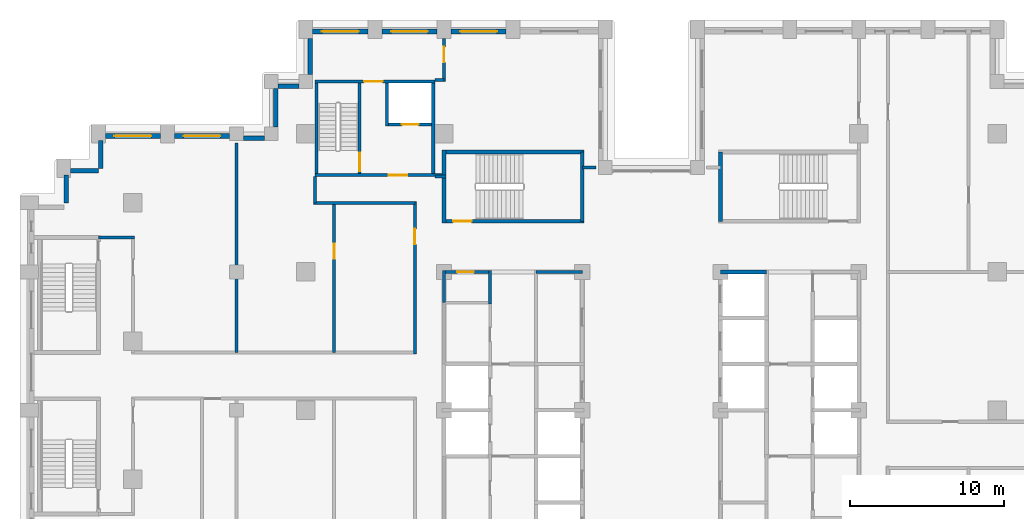
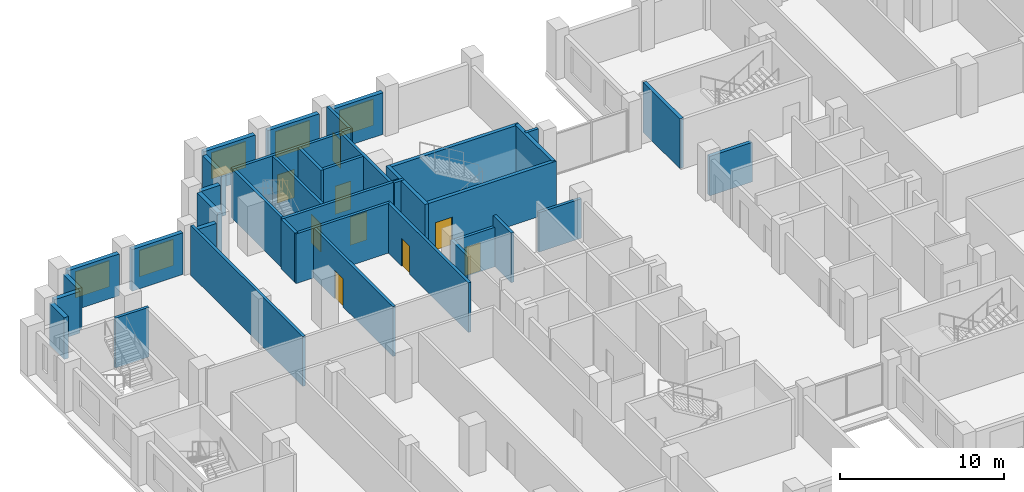
# One storey, part 10 of 16: 39 walls, 9 doors, 5 windows, 14 openings.
"""IFC4 building model written with IfcOpenShell, lengths in metres."""

from ifc_helpers import new_model, si_unit, direction, frame, frame_2d, origin, place, context, subcontext, project, spatial, rectangle, extrude, material, layer, layer_set, type_object, element, fill, save


model = new_model("IFC4")

# Units and contexts
model_context = context("Model", 3, precision=1e-05, world=origin(), true_north=direction((0.0, 1.0)))
body_context = subcontext(model_context, "Body", "Model", "MODEL_VIEW")
ifc_project = project(units=[si_unit("LENGTHUNIT", "METRE"), si_unit("AREAUNIT", "SQUARE_METRE"), si_unit("VOLUMEUNIT", "CUBIC_METRE"), si_unit("PLANEANGLEUNIT", "RADIAN"), si_unit("MASSUNIT", "GRAM", prefix="KILO")], contexts=[model_context])

# Site, building, storey
site_placement = place(None, origin())
site = spatial("IfcSite", under=ifc_project, at=site_placement, CompositionType="ELEMENT")
building_placement = place(site_placement, origin())
building = spatial("IfcBuilding", under=site, at=building_placement, Name="Corbelhall Arena Tower", CompositionType="ELEMENT")
storey_placement = place(building_placement, frame((0.0, 0.0, 108.0)))
storey = spatial("IfcBuildingStorey", under=building, at=storey_placement, Name="L19", CompositionType="ELEMENT", Elevation=108.0)

# Walls
ifc_material_1 = material(Name="Precast concrete C40/50 with granite facing", Category="masonry")
ifc_layer_1 = layer(ifc_material_1, 0.300048828125)
ifc_layer_set_1 = layer_set([ifc_layer_1], Name="EV-IW1 Infill panel 300")
wall_type_1 = type_object("IfcWallType", Name="EV-IW1 Infill panel 300", PredefinedType="SOLIDWALL", material=ifc_layer_set_1)
for number, where, z_axis, x_axis, name in (
    (1, (-35.85009765625, 17.550048828125, 0.0), (0.0, 0.0, 1.0), (0.0, -1.0, 0.0), "Infill panel IW1"),
    (2, (-37.800048828125, 15.60009765625, 0.0), (0.0, 0.0, 1.0), (1.0, 0.0, 0.0), "Infill panel IW1"),
    (3, (-38.10009765625, 15.300048828125, 0.0), (0.0, 0.0, 1.0), (0.0, -1.0, 0.0), "Infill panel IW1"),
):
    element("IfcWall", number, at=place(storey_placement, frame(where, z_axis=z_axis, x_axis=x_axis)), inside=storey, type_object=wall_type_1, Name=name, PredefinedType="SOLIDWALL", context=body_context, shape_type="SweptSolid", body=[
        extrude(rectangle(XDim=1.800048828125, YDim=0.300048828125, at=frame_2d((0.89990234375, 0.0))), origin(), (0.0, 0.0, 1.0), 3.10009765625),
    ])
wall_1_placement = place(storey_placement, frame((-22.199951171875, 24.199951171875, 0.0), z_axis=(0.0, 0.0, 1.0), x_axis=(0.0, -1.0, 0.0)))
element("IfcWall", 4, at=wall_1_placement, inside=storey, type_object=wall_type_1, Name="Infill panel IW1", PredefinedType="SOLIDWALL", context=body_context, shape_type="SweptSolid", body=[
    extrude(rectangle(XDim=2.349853515625, YDim=0.300048828125, at=frame_2d((1.1748046875, 0.0))), origin(), (0.0, 0.0, 1.0), 3.10009765625),
])
wall_2_placement = place(storey_placement, frame((-22.949951171875, 21.10009765625, 0.0), z_axis=(0.0, 0.0, 1.0), x_axis=(-1.0, 0.0, 0.0)))
element("IfcWall", 5, at=wall_2_placement, inside=storey, type_object=wall_type_1, Name="Infill panel IW1", PredefinedType="SOLIDWALL", context=body_context, shape_type="SweptSolid", body=[
    extrude(rectangle(XDim=1.35009765625, YDim=0.300048828125, at=frame_2d((0.675048828125, 0.0))), origin(), (0.0, 0.0, 1.0), 3.10009765625),
])
wall_3_placement = place(storey_placement, frame((-24.449951171875, 20.949951171875, 0.0), z_axis=(0.0, 0.0, 1.0), x_axis=(0.0, -1.0, 0.0)))
element("IfcWall", 6, at=wall_3_placement, inside=storey, type_object=wall_type_1, Name="Infill panel IW1", PredefinedType="SOLIDWALL", context=body_context, shape_type="SweptSolid", body=[
    extrude(rectangle(XDim=2.5, YDim=0.300048828125, at=frame_2d((1.25, 0.0))), origin(), (0.0, 0.0, 1.0), 3.10009765625),
])
wall_4_placement = place(storey_placement, frame((-25.199951171875, 17.699951171875, 0.0), z_axis=(0.0, 0.0, 1.0), x_axis=(-1.0, 0.0, 0.0)))
element("IfcWall", 7, at=wall_4_placement, inside=storey, type_object=wall_type_1, Name="Infill panel IW1", PredefinedType="SOLIDWALL", context=body_context, shape_type="SweptSolid", body=[
    extrude(rectangle(XDim=1.35009765625, YDim=0.300048828125, at=frame_2d((0.675048828125, 0.0))), origin(), (0.0, 0.0, 1.0), 3.10009765625),
])

# Wall, opening, window
wall_5_placement = place(storey_placement, frame((-27.449951171875, 17.85009765625, 0.0), z_axis=(0.0, 0.0, 1.0), x_axis=(-1.0, 0.0, 0.0)))
wall_5 = element("IfcWall", 8, at=wall_5_placement, inside=storey, type_object=wall_type_1, Name="Infill panel IW1", PredefinedType="SOLIDWALL", context=body_context, shape_type="SweptSolid", body=[
    extrude(rectangle(XDim=3.60009765625, YDim=0.300048828125, at=frame_2d((1.800048828125, 0.0))), origin(), (0.0, 0.0, 1.0), 3.10009765625),
])
opening_1_placement = place(wall_5_placement, frame((0.60009765625, 0.0, 0.800048828125)))
opening_1 = element("IfcOpeningElement", 9, at=opening_1_placement, cuts=wall_5, Name="Opening WN1", PredefinedType="OPENING", context=body_context, shape_type="SweptSolid", body=[
    extrude(rectangle(XDim=2.39990234375, YDim=1.949951171875, at=frame_2d((1.199951171875, 0.97509765625))), frame((0.0, 0.14990234375, 0.0), z_axis=(0.0, -1.0, 0.0), x_axis=(1.0, 0.0, 0.0)), (0.0, 0.0, 1.0), 0.300048828125),
])
ifc_material_2 = material(Name="Aluminium black anodised", Category="aluminium")
window_type = type_object("IfcWindowType", Name="EV-WN1 Office window", PartitioningType="SINGLE_PANEL", PredefinedType="WINDOW", material=ifc_material_2)
window_1_placement = place(opening_1_placement, origin())
window_1 = element("IfcWindow", 10, at=window_1_placement, inside=storey, type_object=window_type, Name="Window WN1", OverallHeight=1.949951171875, OverallWidth=2.39990234375, PartitioningType="SINGLE_PANEL", PredefinedType="WINDOW", context=body_context, shape_type="SweptSolid", body=[
    extrude(rectangle(XDim=2.39990234375, YDim=1.949951171875, at=frame_2d((1.199951171875, 0.97509765625))), frame((0.0, 0.030029296875, 0.0), z_axis=(0.0, -1.0, 0.0), x_axis=(1.0, 0.0, 0.0)), (0.0, 0.0, 1.0), 0.06005859375),
])
fill(opening_1, window_1)

wall_6_placement = place(storey_placement, frame((-31.949951171875, 17.85009765625, 0.0), z_axis=(0.0, 0.0, 1.0), x_axis=(-1.0, 0.0, 0.0)))
wall_6 = element("IfcWall", 11, at=wall_6_placement, inside=storey, type_object=wall_type_1, Name="Infill panel IW1", PredefinedType="SOLIDWALL", context=body_context, shape_type="SweptSolid", body=[
    extrude(rectangle(XDim=3.60009765625, YDim=0.300048828125, at=frame_2d((1.800048828125, 0.0))), origin(), (0.0, 0.0, 1.0), 3.10009765625),
])
opening_2_placement = place(wall_6_placement, frame((0.60009765625, 0.0, 0.800048828125)))
opening_2 = element("IfcOpeningElement", 12, at=opening_2_placement, cuts=wall_6, Name="Opening WN1", PredefinedType="OPENING", context=body_context, shape_type="SweptSolid", body=[
    extrude(rectangle(XDim=2.39990234375, YDim=1.949951171875, at=frame_2d((1.199951171875, 0.97509765625))), frame((0.0, 0.14990234375, 0.0), z_axis=(0.0, -1.0, 0.0), x_axis=(1.0, 0.0, 0.0)), (0.0, 0.0, 1.0), 0.300048828125),
])
window_2_placement = place(opening_2_placement, origin())
window_2 = element("IfcWindow", 13, at=window_2_placement, inside=storey, type_object=window_type, Name="Window WN1", OverallHeight=1.949951171875, OverallWidth=2.39990234375, PartitioningType="SINGLE_PANEL", PredefinedType="WINDOW", context=body_context, shape_type="SweptSolid", body=[
    extrude(rectangle(XDim=2.39990234375, YDim=1.949951171875, at=frame_2d((1.199951171875, 0.97509765625))), frame((0.0, 0.030029296875, 0.0), z_axis=(0.0, -1.0, 0.0), x_axis=(1.0, 0.0, 0.0)), (0.0, 0.0, 1.0), 0.06005859375),
])
fill(opening_2, window_2)

wall_7_placement = place(storey_placement, frame((-9.449951171875, 24.64990234375, 0.0), z_axis=(0.0, 0.0, 1.0), x_axis=(-1.0, 0.0, 0.0)))
wall_7 = element("IfcWall", 14, at=wall_7_placement, inside=storey, type_object=wall_type_1, Name="Infill panel IW1", PredefinedType="SOLIDWALL", context=body_context, shape_type="SweptSolid", body=[
    extrude(rectangle(XDim=3.60009765625, YDim=0.300048828125, at=frame_2d((1.800048828125, 0.0))), origin(), (0.0, 0.0, 1.0), 3.10009765625),
])
opening_3_placement = place(wall_7_placement, frame((0.60009765625, 0.0, 0.800048828125)))
opening_3 = element("IfcOpeningElement", 15, at=opening_3_placement, cuts=wall_7, Name="Opening WN1", PredefinedType="OPENING", context=body_context, shape_type="SweptSolid", body=[
    extrude(rectangle(XDim=2.39990234375, YDim=1.949951171875, at=frame_2d((1.199951171875, 0.97509765625))), frame((0.0, 0.14990234375, 0.0), z_axis=(0.0, -1.0, 0.0), x_axis=(1.0, 0.0, 0.0)), (0.0, 0.0, 1.0), 0.300048828125),
])
window_3_placement = place(opening_3_placement, origin())
window_3 = element("IfcWindow", 16, at=window_3_placement, inside=storey, type_object=window_type, Name="Window WN1", OverallHeight=1.949951171875, OverallWidth=2.39990234375, PartitioningType="SINGLE_PANEL", PredefinedType="WINDOW", context=body_context, shape_type="SweptSolid", body=[
    extrude(rectangle(XDim=2.39990234375, YDim=1.949951171875, at=frame_2d((1.199951171875, 0.97509765625))), frame((0.0, 0.030029296875, 0.0), z_axis=(0.0, -1.0, 0.0), x_axis=(1.0, 0.0, 0.0)), (0.0, 0.0, 1.0), 0.06005859375),
])
fill(opening_3, window_3)

wall_8_placement = place(storey_placement, frame((-13.949951171875, 24.64990234375, 0.0), z_axis=(0.0, 0.0, 1.0), x_axis=(-1.0, 0.0, 0.0)))
wall_8 = element("IfcWall", 17, at=wall_8_placement, inside=storey, type_object=wall_type_1, Name="Infill panel IW1", PredefinedType="SOLIDWALL", context=body_context, shape_type="SweptSolid", body=[
    extrude(rectangle(XDim=3.60009765625, YDim=0.300048828125, at=frame_2d((1.800048828125, 0.0))), origin(), (0.0, 0.0, 1.0), 3.10009765625),
])
opening_4_placement = place(wall_8_placement, frame((0.60009765625, 0.0, 0.800048828125)))
opening_4 = element("IfcOpeningElement", 18, at=opening_4_placement, cuts=wall_8, Name="Opening WN1", PredefinedType="OPENING", context=body_context, shape_type="SweptSolid", body=[
    extrude(rectangle(XDim=2.39990234375, YDim=1.949951171875, at=frame_2d((1.199951171875, 0.97509765625))), frame((0.0, 0.14990234375, 0.0), z_axis=(0.0, -1.0, 0.0), x_axis=(1.0, 0.0, 0.0)), (0.0, 0.0, 1.0), 0.300048828125),
])
window_4_placement = place(opening_4_placement, origin())
window_4 = element("IfcWindow", 19, at=window_4_placement, inside=storey, type_object=window_type, Name="Window WN1", OverallHeight=1.949951171875, OverallWidth=2.39990234375, PartitioningType="SINGLE_PANEL", PredefinedType="WINDOW", context=body_context, shape_type="SweptSolid", body=[
    extrude(rectangle(XDim=2.39990234375, YDim=1.949951171875, at=frame_2d((1.199951171875, 0.97509765625))), frame((0.0, 0.030029296875, 0.0), z_axis=(0.0, -1.0, 0.0), x_axis=(1.0, 0.0, 0.0)), (0.0, 0.0, 1.0), 0.06005859375),
])
fill(opening_4, window_4)

wall_9_placement = place(storey_placement, frame((-18.449951171875, 24.64990234375, 0.0), z_axis=(0.0, 0.0, 1.0), x_axis=(-1.0, 0.0, 0.0)))
wall_9 = element("IfcWall", 20, at=wall_9_placement, inside=storey, type_object=wall_type_1, Name="Infill panel IW1", PredefinedType="SOLIDWALL", context=body_context, shape_type="SweptSolid", body=[
    extrude(rectangle(XDim=3.60009765625, YDim=0.300048828125, at=frame_2d((1.800048828125, 0.0))), origin(), (0.0, 0.0, 1.0), 3.10009765625),
])
opening_5_placement = place(wall_9_placement, frame((0.60009765625, 0.0, 0.800048828125)))
opening_5 = element("IfcOpeningElement", 21, at=opening_5_placement, cuts=wall_9, Name="Opening WN1", PredefinedType="OPENING", context=body_context, shape_type="SweptSolid", body=[
    extrude(rectangle(XDim=2.39990234375, YDim=1.949951171875, at=frame_2d((1.199951171875, 0.97509765625))), frame((0.0, 0.14990234375, 0.0), z_axis=(0.0, -1.0, 0.0), x_axis=(1.0, 0.0, 0.0)), (0.0, 0.0, 1.0), 0.300048828125),
])
window_5_placement = place(opening_5_placement, origin())
window_5 = element("IfcWindow", 22, at=window_5_placement, inside=storey, type_object=window_type, Name="Window WN1", OverallHeight=1.949951171875, OverallWidth=2.39990234375, PartitioningType="SINGLE_PANEL", PredefinedType="WINDOW", context=body_context, shape_type="SweptSolid", body=[
    extrude(rectangle(XDim=2.39990234375, YDim=1.949951171875, at=frame_2d((1.199951171875, 0.97509765625))), frame((0.0, 0.030029296875, 0.0), z_axis=(0.0, -1.0, 0.0), x_axis=(1.0, 0.0, 0.0)), (0.0, 0.0, 1.0), 0.06005859375),
])
fill(opening_5, window_5)

# Walls
ifc_material_3 = material(Name="Gypsum board on steel stud, acoustic", Category="steel")
ifc_layer_2 = layer(ifc_material_3, 0.199951171875)
ifc_layer_set_2 = layer_set([ifc_layer_2], Name="IN-W-DM200")
wall_type_2 = type_object("IfcWallType", Name="IN-W-DM200", PredefinedType="PARTITIONING", material=ifc_layer_set_2)
wall_10_placement = place(storey_placement, frame((-36.0, 11.25, 0.0), z_axis=(0.0, 0.0, 1.0), x_axis=(1.0, 0.0, 0.0)))
element("IfcWall", 23, at=wall_10_placement, inside=storey, type_object=wall_type_2, Name="Partition 001", PredefinedType="PARTITIONING", context=body_context, shape_type="SweptSolid", body=[
    extrude(rectangle(XDim=2.35009765625, YDim=0.199951171875, at=frame_2d((1.175048828125, 0.0))), origin(), (0.0, 0.0, 1.0), 3.699951171875),
])
wall_11_placement = place(storey_placement, frame((-27.0, 3.75, 0.0), z_axis=(0.0, 0.0, 1.0), x_axis=(0.0, 1.0, 0.0)))
element("IfcWall", 24, at=wall_11_placement, inside=storey, type_object=wall_type_2, Name="Partition 009", PredefinedType="PARTITIONING", context=body_context, shape_type="SweptSolid", body=[
    extrude(rectangle(XDim=13.64990234375, YDim=0.199951171875, at=frame_2d((6.824951171875, 0.0))), origin(), (0.0, 0.0, 1.0), 3.699951171875),
])
wall_12_placement = place(storey_placement, frame((-21.89990234375, 13.5, 0.0), z_axis=(0.0, 0.0, 1.0), x_axis=(0.0, 1.0, 0.0)))
element("IfcWall", 25, at=wall_12_placement, inside=storey, type_object=wall_type_2, Name="Partition 011", PredefinedType="PARTITIONING", context=body_context, shape_type="SweptSolid", body=[
    extrude(rectangle(XDim=1.699951171875, YDim=0.199951171875, at=frame_2d((0.85009765625, 0.0))), origin(), (0.0, 0.0, 1.0), 3.699951171875),
])

# Wall, opening, door
wall_13_placement = place(storey_placement, frame((-20.64990234375, 3.75, 0.0), z_axis=(0.0, 0.0, 1.0), x_axis=(0.0, 1.0, 0.0)))
wall_13 = element("IfcWall", 26, at=wall_13_placement, inside=storey, type_object=wall_type_2, Name="Partition 013", PredefinedType="PARTITIONING", context=body_context, shape_type="SweptSolid", body=[
    extrude(rectangle(XDim=9.75, YDim=0.199951171875, at=frame_2d((4.875, 0.0))), origin(), (0.0, 0.0, 1.0), 3.699951171875),
])
opening_6_placement = place(wall_13_placement, frame((6.10009765625, 0.0, 0.0)))
opening_6 = element("IfcOpeningElement", 27, at=opening_6_placement, cuts=wall_13, Name="Opening 04028", PredefinedType="OPENING", context=body_context, shape_type="SweptSolid", body=[
    extrude(rectangle(XDim=1.0, YDim=2.10009765625, at=frame_2d((0.5, 1.050048828125))), frame((0.0, 0.10009765625, 0.0), z_axis=(0.0, -1.0, 0.0), x_axis=(1.0, 0.0, 0.0)), (0.0, 0.0, 1.0), 0.199951171875),
])
ifc_material_4 = material(Name="Steel door set", Category="steel")
door_type_1 = type_object("IfcDoorType", Name="IN-D-SW100", OperationType="NOTDEFINED", PredefinedType="DOOR", material=ifc_material_4)
door_1_placement = place(opening_6_placement, origin())
door_1 = element("IfcDoor", 28, at=door_1_placement, inside=storey, type_object=door_type_1, Name="Door 028", OperationType="SINGLE_SWING_LEFT", OverallHeight=2.10009765625, OverallWidth=1.0, PredefinedType="DOOR", context=body_context, shape_type="SweptSolid", body=[
    extrude(rectangle(XDim=1.0, YDim=2.10009765625, at=frame_2d((0.5, 1.050048828125))), frame((0.0, 0.02490234375, 0.0), z_axis=(0.0, -1.0, 0.0), x_axis=(1.0, 0.0, 0.0)), (0.0, 0.0, 1.0), 0.050048828125),
])
fill(opening_6, door_1)

# Wall
wall_14_placement = place(storey_placement, frame((-15.39990234375, 13.5, 0.0), z_axis=(0.0, 0.0, 1.0), x_axis=(-1.0, 0.0, 0.0)))
element("IfcWall", 29, at=wall_14_placement, inside=storey, type_object=wall_type_2, Name="Partition 014", PredefinedType="PARTITIONING", context=body_context, shape_type="SweptSolid", body=[
    extrude(rectangle(XDim=6.60009765625, YDim=0.199951171875, at=frame_2d((3.300048828125, 0.0))), origin(), (0.0, 0.0, 1.0), 3.699951171875),
])

# Wall, opening, door
wall_15_placement = place(storey_placement, frame((-15.39990234375, 3.64990234375, 0.0), z_axis=(0.0, 0.0, 1.0), x_axis=(0.0, 1.0, 0.0)))
wall_15 = element("IfcWall", 30, at=wall_15_placement, inside=storey, type_object=wall_type_2, Name="Partition 016", PredefinedType="PARTITIONING", context=body_context, shape_type="SweptSolid", body=[
    extrude(rectangle(XDim=9.9501953125, YDim=0.199951171875, at=frame_2d((4.97509765625, 0.0))), origin(), (0.0, 0.0, 1.0), 3.699951171875),
])
opening_7_placement = place(wall_15_placement, frame((7.14990234375, 0.0, 0.0)))
opening_7 = element("IfcOpeningElement", 31, at=opening_7_placement, cuts=wall_15, Name="Opening 04027", PredefinedType="OPENING", context=body_context, shape_type="SweptSolid", body=[
    extrude(rectangle(XDim=1.0, YDim=2.10009765625, at=frame_2d((0.5, 1.050048828125))), frame((0.0, 0.10009765625, 0.0), z_axis=(0.0, -1.0, 0.0), x_axis=(1.0, 0.0, 0.0)), (0.0, 0.0, 1.0), 0.199951171875),
])
door_2_placement = place(opening_7_placement, origin())
door_2 = element("IfcDoor", 32, at=door_2_placement, inside=storey, type_object=door_type_1, Name="Door 027", OperationType="SINGLE_SWING_RIGHT", OverallHeight=2.10009765625, OverallWidth=1.0, PredefinedType="DOOR", context=body_context, shape_type="SweptSolid", body=[
    extrude(rectangle(XDim=1.0, YDim=2.10009765625, at=frame_2d((0.5, 1.050048828125))), frame((0.0, 0.02490234375, 0.0), z_axis=(0.0, -1.0, 0.0), x_axis=(1.0, 0.0, 0.0)), (0.0, 0.0, 1.0), 0.050048828125),
])
fill(opening_7, door_2)

# Walls
wall_16_placement = place(storey_placement, frame((-14.10009765625, 15.199951171875, 0.0), z_axis=(0.0, 0.0, 1.0), x_axis=(1.0, 0.0, 0.0)))
element("IfcWall", 33, at=wall_16_placement, inside=storey, type_object=wall_type_2, Name="Partition 017", PredefinedType="PARTITIONING", context=body_context, shape_type="SweptSolid", body=[
    extrude(rectangle(XDim=0.72509765625, YDim=0.199951171875, at=frame_2d((0.362548828125, 0.0))), origin(), (0.0, 0.0, 1.0), 3.699951171875),
])
wall_17_placement = place(storey_placement, frame((-13.5, 21.5, 0.0), z_axis=(0.0, 0.0, 1.0), x_axis=(-1.0, 0.0, 0.0)))
element("IfcWall", 34, at=wall_17_placement, inside=storey, type_object=wall_type_2, Name="Partition 019", PredefinedType="PARTITIONING", context=body_context, shape_type="SweptSolid", body=[
    extrude(rectangle(XDim=0.60009765625, YDim=0.199951171875, at=frame_2d((0.300048828125, 0.0))), origin(), (0.0, 0.0, 1.0), 3.699951171875),
])

# Wall, opening, door
wall_18_placement = place(storey_placement, frame((-13.5, 24.199951171875, 0.0), z_axis=(0.0, 0.0, 1.0), x_axis=(0.0, -1.0, 0.0)))
wall_18 = element("IfcWall", 35, at=wall_18_placement, inside=storey, type_object=wall_type_2, Name="Partition 020", PredefinedType="PARTITIONING", context=body_context, shape_type="SweptSolid", body=[
    extrude(rectangle(XDim=2.800048828125, YDim=0.199951171875, at=frame_2d((1.39990234375, 0.0))), origin(), (0.0, 0.0, 1.0), 3.699951171875),
])
opening_8_placement = place(wall_18_placement, frame((0.550048828125, 0.0, 0.0)))
opening_8 = element("IfcOpeningElement", 36, at=opening_8_placement, cuts=wall_18, Name="Opening 04023", PredefinedType="OPENING", context=body_context, shape_type="SweptSolid", body=[
    extrude(rectangle(XDim=1.0, YDim=2.10009765625, at=frame_2d((0.5, 1.050048828125))), frame((0.0, 0.10009765625, 0.0), z_axis=(0.0, -1.0, 0.0), x_axis=(1.0, 0.0, 0.0)), (0.0, 0.0, 1.0), 0.199951171875),
])
door_3_placement = place(opening_8_placement, origin())
door_3 = element("IfcDoor", 37, at=door_3_placement, inside=storey, type_object=door_type_1, Name="Door 023", OperationType="SINGLE_SWING_RIGHT", OverallHeight=2.10009765625, OverallWidth=1.0, PredefinedType="DOOR", context=body_context, shape_type="SweptSolid", body=[
    extrude(rectangle(XDim=1.0, YDim=2.10009765625, at=frame_2d((0.5, 1.050048828125))), frame((0.0, 0.02490234375, 0.0), z_axis=(0.0, -1.0, 0.0), x_axis=(1.0, 0.0, 0.0)), (0.0, 0.0, 1.0), 0.050048828125),
])
fill(opening_8, door_3)

# Wall
wall_19_placement = place(storey_placement, frame((-4.5, 15.800048828125, 0.0), z_axis=(0.0, 0.0, 1.0), x_axis=(1.0, 0.0, 0.0)))
element("IfcWall", 38, at=wall_19_placement, inside=storey, type_object=wall_type_2, Name="Partition 021", PredefinedType="PARTITIONING", context=body_context, shape_type="SweptSolid", body=[
    extrude(rectangle(XDim=0.89990234375, YDim=0.199951171875, at=frame_2d((0.449951171875, 0.0))), origin(), (0.0, 0.0, 1.0), 3.699951171875),
])

# Wall, opening, door
ifc_material_5 = material(Name="Concrete C40/50", Category="concrete")
ifc_layer_3 = layer(ifc_material_5, 0.199951171875)
ifc_layer_set_3 = layer_set([ifc_layer_3], Name="IN-W-EAR200")
wall_type_3 = type_object("IfcWallType", Name="IN-W-EAR200", PredefinedType="SOLIDWALL", material=ifc_layer_set_3)
wall_20_placement = place(storey_placement, frame((-21.89990234375, 15.300048828125, 0.0), z_axis=(0.0, 0.0, 1.0), x_axis=(1.0, 0.0, 0.0)))
wall_20 = element("IfcWall", 39, at=wall_20_placement, inside=storey, type_object=wall_type_3, Name="Fire service turret wall south", PredefinedType="SOLIDWALL", context=body_context, shape_type="SweptSolid", body=[
    extrude(rectangle(XDim=8.27490234375, YDim=0.199951171875, at=frame_2d((4.137451171875, 0.0))), origin(), (0.0, 0.0, 1.0), 3.699951171875),
])
opening_9_placement = place(wall_20_placement, frame((4.800048828125, 0.0, 0.0)))
opening_9 = element("IfcOpeningElement", 40, at=opening_9_placement, cuts=wall_20, Name="Opening E042", PredefinedType="OPENING", context=body_context, shape_type="SweptSolid", body=[
    extrude(rectangle(XDim=1.199951171875, YDim=2.10009765625, at=frame_2d((0.60009765625, 1.050048828125))), frame((0.0, 0.10009765625, 0.0), z_axis=(0.0, -1.0, 0.0), x_axis=(1.0, 0.0, 0.0)), (0.0, 0.0, 1.0), 0.199951171875),
])
door_type_2 = type_object("IfcDoorType", Name="IN-D-ST120", OperationType="NOTDEFINED", PredefinedType="DOOR", material=ifc_material_4)
door_4_placement = place(opening_9_placement, origin())
door_4 = element("IfcDoor", 41, at=door_4_placement, inside=storey, type_object=door_type_2, Name="Door from fire service lift lobby to circulation", OperationType="SINGLE_SWING_RIGHT", OverallHeight=2.10009765625, OverallWidth=1.199951171875, PredefinedType="DOOR", context=body_context, shape_type="SweptSolid", body=[
    extrude(rectangle(XDim=1.199951171875, YDim=2.10009765625, at=frame_2d((0.60009765625, 1.050048828125))), frame((0.0, 0.02490234375, 0.0), z_axis=(0.0, -1.0, 0.0), x_axis=(1.0, 0.0, 0.0)), (0.0, 0.0, 1.0), 0.050048828125),
])
fill(opening_9, door_4)

wall_21_placement = place(storey_placement, frame((-21.89990234375, 21.39990234375, 0.0), z_axis=(0.0, 0.0, 1.0), x_axis=(1.0, 0.0, 0.0)))
wall_21 = element("IfcWall", 42, at=wall_21_placement, inside=storey, type_object=wall_type_3, Name="Fire service turret wall north", PredefinedType="SOLIDWALL", context=body_context, shape_type="SweptSolid", body=[
    extrude(rectangle(XDim=7.7998046875, YDim=0.199951171875, at=frame_2d((3.89990234375, 0.0))), origin(), (0.0, 0.0, 1.0), 3.699951171875),
])
opening_10_placement = place(wall_21_placement, frame((3.199951171875, 0.0, 0.0)))
opening_10 = element("IfcOpeningElement", 43, at=opening_10_placement, cuts=wall_21, Name="Opening E043", PredefinedType="OPENING", context=body_context, shape_type="SweptSolid", body=[
    extrude(rectangle(XDim=1.199951171875, YDim=2.10009765625, at=frame_2d((0.60009765625, 1.050048828125))), frame((0.0, 0.10009765625, 0.0), z_axis=(0.0, -1.0, 0.0), x_axis=(1.0, 0.0, 0.0)), (0.0, 0.0, 1.0), 0.199951171875),
])
door_5_placement = place(opening_10_placement, origin())
door_5 = element("IfcDoor", 44, at=door_5_placement, inside=storey, type_object=door_type_2, Name="Door from fire service lift lobby to the north gallery", OperationType="SINGLE_SWING_LEFT", OverallHeight=2.10009765625, OverallWidth=1.199951171875, PredefinedType="DOOR", context=body_context, shape_type="SweptSolid", body=[
    extrude(rectangle(XDim=1.199951171875, YDim=2.10009765625, at=frame_2d((0.60009765625, 1.050048828125))), frame((0.0, 0.02490234375, 0.0), z_axis=(0.0, -1.0, 0.0), x_axis=(1.0, 0.0, 0.0)), (0.0, 0.0, 1.0), 0.050048828125),
])
fill(opening_10, door_5)

# Walls
for number, where, z_axis, x_axis, name in (
    (45, (-21.800048828125, 15.39990234375, 0.0), (0.0, 0.0, 1.0), (0.0, 1.0, 0.0), "Fire service turret wall west"),
    (46, (-14.199951171875, 15.39990234375, 0.0), (0.0, 0.0, 1.0), (0.0, 1.0, 0.0), "Fire service turret wall east"),
):
    element("IfcWall", number, at=place(storey_placement, frame(where, z_axis=z_axis, x_axis=x_axis)), inside=storey, type_object=wall_type_3, Name=name, PredefinedType="SOLIDWALL", context=body_context, shape_type="SweptSolid", body=[
        extrude(rectangle(XDim=5.900146484375, YDim=0.199951171875, at=frame_2d((2.9501953125, 0.0))), origin(), (0.0, 0.0, 1.0), 3.699951171875),
    ])

# Wall, opening, door
wall_22_placement = place(storey_placement, frame((-18.989990234375, 15.39990234375, 0.0), z_axis=(0.0, 0.0, 1.0), x_axis=(0.0, 1.0, 0.0)))
wall_22 = element("IfcWall", 47, at=wall_22_placement, inside=storey, type_object=wall_type_3, Name="Fire service turret wall stair", PredefinedType="SOLIDWALL", context=body_context, shape_type="SweptSolid", body=[
    extrude(rectangle(XDim=5.900146484375, YDim=0.199951171875, at=frame_2d((2.9501953125, 0.0))), origin(), (0.0, 0.0, 1.0), 3.699951171875),
])
opening_11_placement = place(wall_22_placement, frame((0.14990234375, 0.0, 0.0)))
opening_11 = element("IfcOpeningElement", 48, at=opening_11_placement, cuts=wall_22, Name="Opening E041", PredefinedType="OPENING", context=body_context, shape_type="SweptSolid", body=[
    extrude(rectangle(XDim=1.199951171875, YDim=2.10009765625, at=frame_2d((0.60009765625, 1.050048828125))), frame((0.0, 0.10009765625, 0.0), z_axis=(0.0, -1.0, 0.0), x_axis=(1.0, 0.0, 0.0)), (0.0, 0.0, 1.0), 0.199951171875),
])
door_6_placement = place(opening_11_placement, origin())
door_6 = element("IfcDoor", 49, at=door_6_placement, inside=storey, type_object=door_type_2, Name="Stair door to fire service lobby", OperationType="SINGLE_SWING_LEFT", OverallHeight=2.10009765625, OverallWidth=1.199951171875, PredefinedType="DOOR", context=body_context, shape_type="SweptSolid", body=[
    extrude(rectangle(XDim=1.199951171875, YDim=2.10009765625, at=frame_2d((0.60009765625, 1.050048828125))), frame((0.0, 0.02490234375, 0.0), z_axis=(0.0, -1.0, 0.0), x_axis=(1.0, 0.0, 0.0)), (0.0, 0.0, 1.0), 0.050048828125),
])
fill(opening_11, door_6)

# Wall
wall_23_placement = place(storey_placement, frame((-17.199951171875, 18.5, 0.0), z_axis=(0.0, 0.0, 1.0), x_axis=(0.0, 1.0, 0.0)))
element("IfcWall", 50, at=wall_23_placement, inside=storey, type_object=wall_type_3, Name="Fire service turret wall hoistway west", PredefinedType="SOLIDWALL", context=body_context, shape_type="SweptSolid", body=[
    extrude(rectangle(XDim=2.800048828125, YDim=0.199951171875, at=frame_2d((1.39990234375, 0.0))), origin(), (0.0, 0.0, 1.0), 3.699951171875),
])

# Wall, opening, door
wall_24_placement = place(storey_placement, frame((-17.10009765625, 18.60009765625, 0.0), z_axis=(0.0, 0.0, 1.0), x_axis=(1.0, 0.0, 0.0)))
wall_24 = element("IfcWall", 51, at=wall_24_placement, inside=storey, type_object=wall_type_3, Name="Fire service turret wall hoistway south", PredefinedType="SOLIDWALL", context=body_context, shape_type="SweptSolid", body=[
    extrude(rectangle(XDim=2.800048828125, YDim=0.199951171875, at=frame_2d((1.39990234375, 0.0))), origin(), (0.0, 0.0, 1.0), 3.699951171875),
])
opening_12_placement = place(wall_24_placement, frame((0.85009765625, 0.0, 0.0)))
opening_12 = element("IfcOpeningElement", 52, at=opening_12_placement, cuts=wall_24, Name="Opening LD", PredefinedType="OPENING", context=body_context, shape_type="SweptSolid", body=[
    extrude(rectangle(XDim=1.10009765625, YDim=2.10009765625, at=frame_2d((0.550048828125, 1.050048828125))), frame((0.0, 0.10009765625, 0.0), z_axis=(0.0, -1.0, 0.0), x_axis=(1.0, 0.0, 0.0)), (0.0, 0.0, 1.0), 0.199951171875),
])
door_type_3 = type_object("IfcDoorType", Name="IN-D-LD110", OperationType="NOTDEFINED", PredefinedType="DOOR", material=ifc_material_4)
door_7_placement = place(opening_12_placement, origin())
door_7 = element("IfcDoor", 53, at=door_7_placement, inside=storey, type_object=door_type_3, Name="Landing door FS1", OperationType="SLIDING_TO_LEFT", OverallHeight=2.10009765625, OverallWidth=1.10009765625, PredefinedType="DOOR", context=body_context, shape_type="SweptSolid", body=[
    extrude(rectangle(XDim=1.10009765625, YDim=2.10009765625, at=frame_2d((0.550048828125, 1.050048828125))), frame((0.0, 0.02490234375, 0.0), z_axis=(0.0, -1.0, 0.0), x_axis=(1.0, 0.0, 0.0)), (0.0, 0.0, 1.0), 0.050048828125),
])
fill(opening_12, door_7)

# Walls
ifc_material_6 = material(Name="Concrete block wall", Category="concrete")
ifc_layer_4 = layer(ifc_material_6, 0.199951171875)
ifc_layer_set_4 = layer_set([ifc_layer_4], Name="IN-W-RS200")
wall_type_4 = type_object("IfcWallType", Name="IN-W-RS200", PredefinedType="SOLIDWALL", material=ifc_layer_set_4)
wall_25_placement = place(storey_placement, frame((-10.5, 6.925048828125, 0.0), z_axis=(0.0, 0.0, 1.0), x_axis=(0.0, 1.0, 0.0)))
element("IfcWall", 54, at=wall_25_placement, inside=storey, type_object=wall_type_4, Name="Partition 046", PredefinedType="SOLIDWALL", context=body_context, shape_type="SweptSolid", body=[
    extrude(rectangle(XDim=2.175048828125, YDim=0.199951171875, at=frame_2d((1.08740234375, 0.0))), origin(), (0.0, 0.0, 1.0), 3.699951171875),
])
ifc_layer_5 = layer(ifc_material_6, 0.199951171875)
ifc_layer_set_5 = layer_set([ifc_layer_5], Name="IN-W-RS200 under beam 762 mm")
wall_type_5 = type_object("IfcWallType", Name="IN-W-RS200 under beam 762 mm", PredefinedType="SOLIDWALL", material=ifc_layer_set_5)
wall_26_placement = place(storey_placement, frame((-13.5, 7.0, 0.0), z_axis=(0.0, 0.0, 1.0), x_axis=(0.0, 1.0, 0.0)))
element("IfcWall", 55, at=wall_26_placement, inside=storey, type_object=wall_type_5, Name="Partition 044", PredefinedType="SOLIDWALL", context=body_context, shape_type="SweptSolid", body=[
    extrude(rectangle(XDim=2.10009765625, YDim=0.199951171875, at=frame_2d((1.050048828125, 0.0))), origin(), (0.0, 0.0, 1.0), 2.93798828125),
])

# Wall, opening, door
wall_27_placement = place(storey_placement, frame((-13.5, 9.0, 0.0), z_axis=(0.0, 0.0, 1.0), x_axis=(1.0, 0.0, 0.0)))
wall_27 = element("IfcWall", 56, at=wall_27_placement, inside=storey, type_object=wall_type_5, Name="Partition 045", PredefinedType="SOLIDWALL", context=body_context, shape_type="SweptSolid", body=[
    extrude(rectangle(XDim=3.0, YDim=0.199951171875, at=frame_2d((1.5, 0.0))), origin(), (0.0, 0.0, 1.0), 2.93798828125),
])
opening_13_placement = place(wall_27_placement, frame((0.85009765625, 0.0, 0.0)))
opening_13 = element("IfcOpeningElement", 57, at=opening_13_placement, cuts=wall_27, Name="Opening 04007", PredefinedType="OPENING", context=body_context, shape_type="SweptSolid", body=[
    extrude(rectangle(XDim=1.10009765625, YDim=2.10009765625, at=frame_2d((0.550048828125, 1.050048828125))), frame((0.0, 0.10009765625, 0.0), z_axis=(0.0, -1.0, 0.0), x_axis=(1.0, 0.0, 0.0)), (0.0, 0.0, 1.0), 0.199951171875),
])
door_type_4 = type_object("IfcDoorType", Name="IN-D-FD110", OperationType="NOTDEFINED", PredefinedType="DOOR", material=ifc_material_4)
door_8_placement = place(opening_13_placement, origin())
door_8 = element("IfcDoor", 58, at=door_8_placement, inside=storey, type_object=door_type_4, Name="Door 007", OperationType="SINGLE_SWING_RIGHT", OverallHeight=2.10009765625, OverallWidth=1.10009765625, PredefinedType="DOOR", context=body_context, shape_type="SweptSolid", body=[
    extrude(rectangle(XDim=1.10009765625, YDim=2.10009765625, at=frame_2d((0.550048828125, 1.050048828125))), frame((0.0, 0.02490234375, 0.0), z_axis=(0.0, -1.0, 0.0), x_axis=(1.0, 0.0, 0.0)), (0.0, 0.0, 1.0), 0.050048828125),
])
fill(opening_13, door_8)

# Walls
wall_28_placement = place(storey_placement, frame((-7.5, 9.0, 0.0), z_axis=(0.0, 0.0, 1.0), x_axis=(1.0, 0.0, 0.0)))
element("IfcWall", 59, at=wall_28_placement, inside=storey, type_object=wall_type_5, Name="Partition 049", PredefinedType="SOLIDWALL", context=body_context, shape_type="SweptSolid", body=[
    extrude(rectangle(XDim=3.0, YDim=0.199951171875, at=frame_2d((1.5, 0.0))), origin(), (0.0, 0.0, 1.0), 2.93798828125),
])
ifc_layer_6 = layer(ifc_material_5, 0.25)
ifc_layer_set_6 = layer_set([ifc_layer_6], Name="IN-W-SH250 under beam 762 mm")
wall_type_6 = type_object("IfcWallType", Name="IN-W-SH250 under beam 762 mm", PredefinedType="SOLIDWALL", material=ifc_layer_set_6)
wall_29_placement = place(storey_placement, frame((4.5, 9.0, 0.0), z_axis=(0.0, 0.0, 1.0), x_axis=(1.0, 0.0, 0.0)))
element("IfcWall", 60, at=wall_29_placement, inside=storey, type_object=wall_type_6, Name="Shaft wall 074", PredefinedType="SOLIDWALL", context=body_context, shape_type="SweptSolid", body=[
    extrude(rectangle(XDim=3.0, YDim=0.25, at=frame_2d((1.5, 0.0))), origin(), (0.0, 0.0, 1.0), 2.93798828125),
])

# Wall, opening, door
ifc_layer_7 = layer(ifc_material_5, 0.25)
ifc_layer_set_7 = layer_set([ifc_layer_7], Name="IN-W-ST250")
wall_type_7 = type_object("IfcWallType", Name="IN-W-ST250", PredefinedType="SOLIDWALL", material=ifc_layer_set_7)
wall_30_placement = place(storey_placement, frame((-13.5, 12.300048828125, 0.0), z_axis=(0.0, 0.0, 1.0), x_axis=(1.0, 0.0, 0.0)))
wall_30 = element("IfcWall", 61, at=wall_30_placement, inside=storey, type_object=wall_type_7, Name="Shaft wall 088", PredefinedType="SOLIDWALL", context=body_context, shape_type="SweptSolid", body=[
    extrude(rectangle(XDim=9.125, YDim=0.25, at=frame_2d((4.5625, 0.0))), origin(), (0.0, 0.0, 1.0), 3.699951171875),
])
opening_14_placement = place(wall_30_placement, frame((0.60009765625, 0.0, 0.0)))
opening_14 = element("IfcOpeningElement", 62, at=opening_14_placement, cuts=wall_30, Name="Opening 04015", PredefinedType="OPENING", context=body_context, shape_type="SweptSolid", body=[
    extrude(rectangle(XDim=1.199951171875, YDim=2.10009765625, at=frame_2d((0.60009765625, 1.050048828125))), frame((0.0, 0.125, 0.0), z_axis=(0.0, -1.0, 0.0), x_axis=(1.0, 0.0, 0.0)), (0.0, 0.0, 1.0), 0.25),
])
door_9_placement = place(opening_14_placement, origin())
door_9 = element("IfcDoor", 63, at=door_9_placement, inside=storey, type_object=door_type_2, Name="Door 015", OperationType="SINGLE_SWING_RIGHT", OverallHeight=2.10009765625, OverallWidth=1.199951171875, PredefinedType="DOOR", context=body_context, shape_type="SweptSolid", body=[
    extrude(rectangle(XDim=1.199951171875, YDim=2.10009765625, at=frame_2d((0.60009765625, 1.050048828125))), frame((0.0, 0.02490234375, 0.0), z_axis=(0.0, -1.0, 0.0), x_axis=(1.0, 0.0, 0.0)), (0.0, 0.0, 1.0), 0.050048828125),
])
fill(opening_14, door_9)

# Walls
wall_31_placement = place(storey_placement, frame((-13.5, 12.175048828125, 0.0), z_axis=(0.0, 0.0, 1.0), x_axis=(0.0, 1.0, 0.0)))
element("IfcWall", 64, at=wall_31_placement, inside=storey, type_object=wall_type_7, Name="Shaft wall 089", PredefinedType="SOLIDWALL", context=body_context, shape_type="SweptSolid", body=[
    extrude(rectangle(XDim=4.75, YDim=0.25, at=frame_2d((2.375, 0.0))), origin(), (0.0, 0.0, 1.0), 3.699951171875),
])
wall_32_placement = place(storey_placement, frame((-13.5, 16.800048828125, 0.0), z_axis=(0.0, 0.0, 1.0), x_axis=(1.0, 0.0, 0.0)))
element("IfcWall", 65, at=wall_32_placement, inside=storey, type_object=wall_type_7, Name="Shaft wall 090", PredefinedType="SOLIDWALL", context=body_context, shape_type="SweptSolid", body=[
    extrude(rectangle(XDim=9.125, YDim=0.25, at=frame_2d((4.5625, 0.0))), origin(), (0.0, 0.0, 1.0), 3.699951171875),
])
for number, where, z_axis, x_axis, name in (
    (66, (-4.5, 16.800048828125, 0.0), (0.0, 0.0, 1.0), (0.0, -1.0, 0.0), "Shaft wall 093"),
    (67, (4.5, 12.300048828125, 0.0), (0.0, 0.0, 1.0), (0.0, 1.0, 0.0), "Shaft wall 098"),
):
    element("IfcWall", number, at=place(storey_placement, frame(where, z_axis=z_axis, x_axis=x_axis)), inside=storey, type_object=wall_type_7, Name=name, PredefinedType="SOLIDWALL", context=body_context, shape_type="SweptSolid", body=[
        extrude(rectangle(XDim=4.5, YDim=0.25, at=frame_2d((2.25, 0.0))), origin(), (0.0, 0.0, 1.0), 3.699951171875),
    ])

save(model, "model.ifc")
